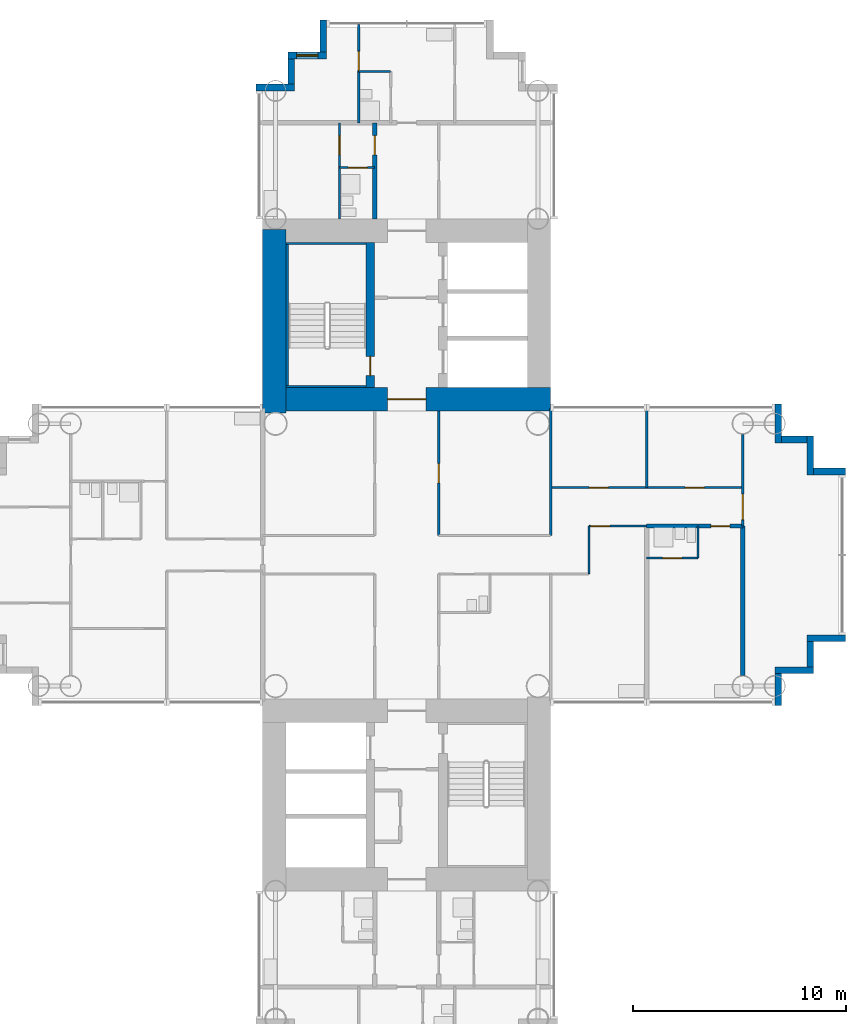
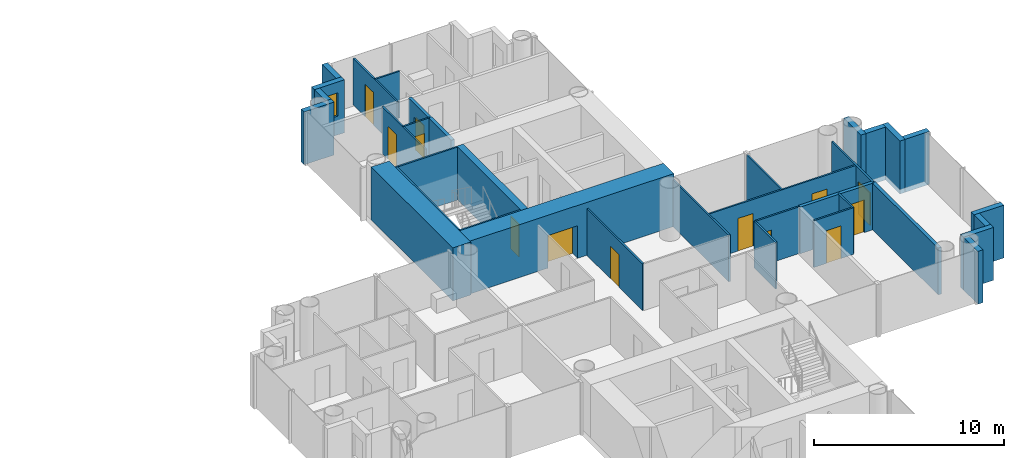
# One storey, part 15 of 22: 34 walls, 13 doors, 1 window, 14 openings.
"""IFC4 building model written with IfcOpenShell, lengths in metres."""

import ifcopenshell
import ifcopenshell.guid

model = None  # the IFC model being written
_history = None  # IfcOwnerHistory: only IFC2X3 demands one
_inside = {}  # id of a spatial element -> (the spatial element, [elements in it])
_under = {}  # id of a project, library or spatial element -> (it, [spatial elements below it])
_declared = {}  # id of a project -> (the project, [libraries it declares])
_typed = {}  # id of a type object -> (the type object, [elements of that type])
_made_of = {}  # id of a material, layer set ... -> (it, [elements and type objects made of it])


def new_model(schema):
    """Start an empty IFC model of exactly this schema.

    Asked for "IFC4X3", IfcOpenShell would pick the latest addendum, in which some entities
    have other attributes; the version numbers below select the first issue.
    IFC2X3 requires an IfcOwnerHistory on every rooted entity: one is made here for all.
    """
    global model, _history
    if schema == "IFC4X3":
        model = ifcopenshell.file(schema_version=(4, 3, 0, 0))
    else:
        model = ifcopenshell.file(schema=schema)
    _inside.clear()
    _under.clear()
    _declared.clear()
    _typed.clear()
    _made_of.clear()
    _history = None
    if model.schema == "IFC2X3":
        org = make("IfcOrganization", Name="unknown")
        user = make(
            "IfcPersonAndOrganization",
            ThePerson=make("IfcPerson", FamilyName="unknown"),
            TheOrganization=org,
        )
        app = make(
            "IfcApplication",
            ApplicationDeveloper=org,
            Version="unknown",
            ApplicationFullName="unknown",
            ApplicationIdentifier="unknown",
        )
        _history = make(
            "IfcOwnerHistory",
            OwningUser=user,
            OwningApplication=app,
            ChangeAction="ADDED",
            CreationDate=0,
        )
    return model


def make(cls, **values):
    """One entity of the class cls with the attributes given. An attribute that is None is left unset."""
    return model.create_entity(
        cls, **{name: value for name, value in values.items() if value is not None}
    )


def rooted(cls, **values):
    """An entity with a GlobalId (a new one), such as an element, a storey or a relation."""
    return make(cls, GlobalId=ifcopenshell.guid.new(), OwnerHistory=_history, **values)


def si_unit(unit_type, name, prefix=None):
    """IfcSIUnit, for example si_unit("LENGTHUNIT", "METRE", prefix="MILLI")."""
    return make("IfcSIUnit", UnitType=unit_type, Prefix=prefix, Name=name)


def assignment(units):
    """IfcUnitAssignment: the units of a project."""
    return None if units is None else make("IfcUnitAssignment", Units=units)


def point(xyz):
    """IfcCartesianPoint."""
    return None if xyz is None else make("IfcCartesianPoint", Coordinates=xyz)


def direction(xyz):
    """IfcDirection."""
    return None if xyz is None else make("IfcDirection", DirectionRatios=xyz)


def frame(location, z_axis=None, x_axis=None):
    """IfcAxis2Placement3D, a coordinate frame: its origin and axes. An axis left out is left unset."""
    return make(
        "IfcAxis2Placement3D",
        Location=point(location),
        Axis=direction(z_axis),
        RefDirection=direction(x_axis),
    )


def frame_2d(location, x_axis=None):
    """IfcAxis2Placement2D, a coordinate frame in the plane: its origin and x axis."""
    return make(
        "IfcAxis2Placement2D", Location=point(location), RefDirection=direction(x_axis)
    )


def origin():
    """The frame at (0, 0, 0) with its axes left unset."""
    return frame((0.0, 0.0, 0.0))


def place(relative_to, where):
    """IfcLocalPlacement: puts the frame where relative to a parent placement (None: the world)."""
    return make(
        "IfcLocalPlacement", PlacementRelTo=relative_to, RelativePlacement=where
    )


def context(
    kind, dimensions, precision=None, world=None, true_north=None, identifier=None
):
    """IfcGeometricRepresentationContext, for example the 3D "Model" context."""
    return make(
        "IfcGeometricRepresentationContext",
        ContextIdentifier=identifier,
        ContextType=kind,
        CoordinateSpaceDimension=dimensions,
        Precision=precision,
        WorldCoordinateSystem=world,
        TrueNorth=true_north,
    )


def subcontext(parent, identifier, kind, view, scale=None):
    """IfcGeometricRepresentationSubContext, for example "Body" below "Model"."""
    return make(
        "IfcGeometricRepresentationSubContext",
        ContextIdentifier=identifier,
        ContextType=kind,
        ParentContext=parent,
        TargetScale=scale,
        TargetView=view,
    )


def project(units=None, contexts=None):
    """IfcProject with its units and contexts."""
    return rooted(
        "IfcProject",
        Name="project",
        RepresentationContexts=contexts,
        UnitsInContext=assignment(units),
    )


def spatial(cls, under=None, at=None, **own):
    """A site, building, storey or space (cls), placed at a placement, below another one or the project."""
    s = rooted(cls, ObjectPlacement=at, **own)
    if under is not None:
        _under.setdefault(under.id(), (under, []))[1].append(s)
    return s


def profile(cls, at=None, kind="AREA", **sizes):
    """A parametric profile (cls). Its sizes go by their IFC names, for example OverallWidth=200.0."""
    return make(cls, ProfileType=kind, Position=at, **sizes)


def rectangle(**sizes):
    """IfcRectangleProfileDef."""
    return profile("IfcRectangleProfileDef", **sizes)


def extrude(swept, where, along, depth):
    """IfcExtrudedAreaSolid: the profile swept, set in the frame where, extruded along a direction by depth."""
    return make(
        "IfcExtrudedAreaSolid",
        SweptArea=swept,
        Position=where,
        ExtrudedDirection=direction(along),
        Depth=depth,
    )


def shape(context_of_items, identifier, shape_type, items):
    """IfcShapeRepresentation: the items that make up one representation, for example the "Body"."""
    return make(
        "IfcShapeRepresentation",
        ContextOfItems=context_of_items,
        RepresentationIdentifier=identifier,
        RepresentationType=shape_type,
        Items=items,
    )


def material(Name=None, Category=None):
    """IfcMaterial."""
    return make("IfcMaterial", Name=Name, Category=Category)


def layer(
    of_material, thickness, ventilated=None, Name=None, Category=None, Priority=None
):
    """IfcMaterialLayer: one layer of a wall or slab, of a material (None: an air gap)."""
    return make(
        "IfcMaterialLayer",
        Material=of_material,
        LayerThickness=thickness,
        IsVentilated=ventilated,
        Name=Name,
        Category=Category,
        Priority=Priority,
    )


def layer_set(layers, Name=None):
    """IfcMaterialLayerSet."""
    return make("IfcMaterialLayerSet", MaterialLayers=layers, LayerSetName=Name)


def made_of(thing, what):
    """Note that an element or type object is made of a material, layer set ...; save() writes the relation."""
    if what is not None:
        _made_of.setdefault(what.id(), (what, []))[1].append(thing)
    return thing


def type_object(cls, material=None, **own):
    """A type object (cls), such as IfcWallType, which elements share."""
    return made_of(rooted(cls, **own), material)


def element(
    cls,
    number,
    at=None,
    inside=None,
    cuts=None,
    type_object=None,
    material=None,
    context=None,
    identifier="Body",
    shape_type=None,
    held_by="IfcProductDefinitionShape",
    body=None,
    shapes=None,
    **own,
):
    """One element of the class cls, such as IfcWall. Its Tag is "e" and its number.

    at: its placement. inside: the storey or other place that contains it. cuts: it is an
    opening in that element (IfcRelVoidsElement). A single representation is given by context,
    identifier, shape_type and body (its items); several are given by shapes. held_by: the class
    of the entity that holds the representations. save() writes the other relations.
    """
    e = rooted(cls, Tag="e%d" % number, ObjectPlacement=at, **own)
    if body is not None:
        shapes = [shape(context, identifier, shape_type, body)]
    if shapes is not None:
        e.Representation = make(held_by, Representations=shapes)
    if inside is not None:
        _inside.setdefault(inside.id(), (inside, []))[1].append(e)
    if cuts is not None:
        rooted(
            "IfcRelVoidsElement", RelatingBuildingElement=cuts, RelatedOpeningElement=e
        )
    if type_object is not None:
        _typed.setdefault(type_object.id(), (type_object, []))[1].append(e)
    return made_of(e, material)


def fill(opening, filler):
    """IfcRelFillsElement: the door or window that sits in an opening."""
    return rooted(
        "IfcRelFillsElement",
        RelatingOpeningElement=opening,
        RelatedBuildingElement=filler,
    )


def aggregate(whole, parts):
    """IfcRelAggregates: a whole, such as a stair, and the parts it consists of."""
    return rooted("IfcRelAggregates", RelatingObject=whole, RelatedObjects=parts)


def save(model, path):
    """Write the relations noted so far, then the file.

    IfcRelAggregates (storeys below a building ...), IfcRelContainedInSpatialStructure (elements
    in a storey), IfcRelDefinesByType, IfcRelAssociatesMaterial and IfcRelDeclares: one each for
    every whole, place, type object, material and project.
    """
    for whole, parts in _under.values():
        aggregate(whole, parts)
    for where, things in _inside.values():
        rooted(
            "IfcRelContainedInSpatialStructure",
            RelatedElements=things,
            RelatingStructure=where,
        )
    for kind, things in _typed.values():
        rooted("IfcRelDefinesByType", RelatedObjects=things, RelatingType=kind)
    for what, things in _made_of.values():
        rooted("IfcRelAssociatesMaterial", RelatedObjects=things, RelatingMaterial=what)
    for by, libraries in _declared.values():
        rooted("IfcRelDeclares", RelatingContext=by, RelatedDefinitions=libraries)
    model.write(path)


model = new_model("IFC4")

# Units and contexts
model_context = context("Model", 3, precision=1e-05, world=origin(), true_north=direction((0.0, 1.0)))
body_context = subcontext(model_context, "Body", "Model", "MODEL_VIEW")
ifc_project = project(units=[si_unit("LENGTHUNIT", "METRE"), si_unit("AREAUNIT", "SQUARE_METRE"), si_unit("VOLUMEUNIT", "CUBIC_METRE"), si_unit("PLANEANGLEUNIT", "RADIAN"), si_unit("MASSUNIT", "GRAM", prefix="KILO")], contexts=[model_context])

# Site, building, storey
site_placement = place(None, origin())
site = spatial("IfcSite", under=ifc_project, at=site_placement, CompositionType="ELEMENT")
building_placement = place(site_placement, origin())
building = spatial("IfcBuilding", under=site, at=building_placement, Name="Ipe Terrace Towers", CompositionType="ELEMENT")
storey_placement = place(building_placement, frame((0.0, 0.0, 55.10009765625)))
storey = spatial("IfcBuildingStorey", under=building, at=storey_placement, Name="L14", CompositionType="ELEMENT", Elevation=55.10009765625)

# Walls
ifc_material_1 = material(Name="Concrete C40/50 with buff precast cladding", Category="concrete")
ifc_layer_1 = layer(ifc_material_1, 0.320068359375)
ifc_layer_set_1 = layer_set([ifc_layer_1], Name="BUFF CLADDING WALL 320")
wall_type_1 = type_object("IfcWallType", Name="BUFF CLADDING WALL 320", PredefinedType="STANDARD", material=ifc_layer_set_1)
wall_1_placement = place(storey_placement, frame((53.409912109375, -7.070068359375, -0.300048828125), z_axis=(0.0, 0.0, 1.0), x_axis=(0.0, 1.0, 0.0)))
element("IfcWall", 1, at=wall_1_placement, inside=storey, type_object=wall_type_1, Name="T2-W-L14-08a wall", PredefinedType="STANDARD", context=body_context, shape_type="SweptSolid", body=[
    extrude(rectangle(XDim=1.5, YDim=0.320068359375, at=frame_2d((0.75, 0.0))), origin(), (0.0, 0.0, 1.0), 3.39990234375),
])
wall_2_placement = place(storey_placement, frame((53.25, -5.409912109375, -0.300048828125), z_axis=(0.0, 0.0, 1.0), x_axis=(1.0, 0.0, 0.0)))
element("IfcWall", 2, at=wall_2_placement, inside=storey, type_object=wall_type_1, Name="T2-W-L14-09a wall", PredefinedType="STANDARD", context=body_context, shape_type="SweptSolid", body=[
    extrude(rectangle(XDim=1.820068359375, YDim=0.320068359375, at=frame_2d((0.91015625, 0.0))), origin(), (0.0, 0.0, 1.0), 3.39990234375),
])
wall_3_placement = place(storey_placement, frame((54.909912109375, -5.25, -0.300048828125), z_axis=(0.0, 0.0, 1.0), x_axis=(0.0, 1.0, 0.0)))
element("IfcWall", 3, at=wall_3_placement, inside=storey, type_object=wall_type_1, Name="T2-W-L14-10a wall", PredefinedType="STANDARD", context=body_context, shape_type="SweptSolid", body=[
    extrude(rectangle(XDim=1.179931640625, YDim=0.320068359375, at=frame_2d((0.58984375, 0.0))), origin(), (0.0, 0.0, 1.0), 3.39990234375),
])
wall_4_placement = place(storey_placement, frame((54.75, -3.909912109375, -0.300048828125), z_axis=(0.0, 0.0, 1.0), x_axis=(1.0, 0.0, 0.0)))
element("IfcWall", 4, at=wall_4_placement, inside=storey, type_object=wall_type_1, Name="T2-W-L14-11a wall", PredefinedType="STANDARD", context=body_context, shape_type="SweptSolid", body=[
    extrude(rectangle(XDim=1.820068359375, YDim=0.320068359375, at=frame_2d((0.91015625, 0.0))), origin(), (0.0, 0.0, 1.0), 3.39990234375),
])
wall_5_placement = place(storey_placement, frame((56.570068359375, 3.909912109375, -0.300048828125), z_axis=(0.0, 0.0, 1.0), x_axis=(-1.0, 0.0, 0.0)))
element("IfcWall", 5, at=wall_5_placement, inside=storey, type_object=wall_type_1, Name="T2-W-L14-13a wall", PredefinedType="STANDARD", context=body_context, shape_type="SweptSolid", body=[
    extrude(rectangle(XDim=1.5, YDim=0.320068359375, at=frame_2d((0.75, 0.0))), origin(), (0.0, 0.0, 1.0), 3.39990234375),
])
wall_6_placement = place(storey_placement, frame((54.909912109375, 3.75, -0.300048828125), z_axis=(0.0, 0.0, 1.0), x_axis=(0.0, 1.0, 0.0)))
element("IfcWall", 6, at=wall_6_placement, inside=storey, type_object=wall_type_1, Name="T2-W-L14-14a wall", PredefinedType="STANDARD", context=body_context, shape_type="SweptSolid", body=[
    extrude(rectangle(XDim=1.820068359375, YDim=0.320068359375, at=frame_2d((0.91015625, 0.0))), origin(), (0.0, 0.0, 1.0), 3.39990234375),
])
wall_7_placement = place(storey_placement, frame((54.75, 5.409912109375, -0.300048828125), z_axis=(0.0, 0.0, 1.0), x_axis=(-1.0, 0.0, 0.0)))
element("IfcWall", 7, at=wall_7_placement, inside=storey, type_object=wall_type_1, Name="T2-W-L14-15a wall", PredefinedType="STANDARD", context=body_context, shape_type="SweptSolid", body=[
    extrude(rectangle(XDim=1.179931640625, YDim=0.320068359375, at=frame_2d((0.58984375, 0.0))), origin(), (0.0, 0.0, 1.0), 3.39990234375),
])
wall_8_placement = place(storey_placement, frame((53.409912109375, 5.25, -0.300048828125), z_axis=(0.0, 0.0, 1.0), x_axis=(0.0, 1.0, 0.0)))
element("IfcWall", 8, at=wall_8_placement, inside=storey, type_object=wall_type_1, Name="T2-W-L14-16a wall", PredefinedType="STANDARD", context=body_context, shape_type="SweptSolid", body=[
    extrude(rectangle(XDim=1.820068359375, YDim=0.320068359375, at=frame_2d((0.91015625, 0.0))), origin(), (0.0, 0.0, 1.0), 3.39990234375),
])
wall_9_placement = place(storey_placement, frame((32.090087890625, 25.070068359375, -0.300048828125), z_axis=(0.0, 0.0, 1.0), x_axis=(0.0, -1.0, 0.0)))
element("IfcWall", 9, at=wall_9_placement, inside=storey, type_object=wall_type_1, Name="T2-W-L14-26a wall", PredefinedType="STANDARD", context=body_context, shape_type="SweptSolid", body=[
    extrude(rectangle(XDim=1.5, YDim=0.320068359375, at=frame_2d((0.75, 0.0))), origin(), (0.0, 0.0, 1.0), 3.39990234375),
])

# Wall, opening, window
wall_10_placement = place(storey_placement, frame((32.25, 23.409912109375, -0.300048828125), z_axis=(0.0, 0.0, 1.0), x_axis=(-1.0, 0.0, 0.0)))
wall_10 = element("IfcWall", 10, at=wall_10_placement, inside=storey, type_object=wall_type_1, Name="T2-W-L14-27a wall", PredefinedType="STANDARD", context=body_context, shape_type="SweptSolid", body=[
    extrude(rectangle(XDim=1.820068359375, YDim=0.320068359375, at=frame_2d((0.91015625, 0.0))), origin(), (0.0, 0.0, 1.0), 3.39990234375),
])
opening_1_placement = place(wall_10_placement, frame((0.409912109375, 0.0, 1.199951171875)))
opening_1 = element("IfcOpeningElement", 11, at=opening_1_placement, cuts=wall_10, Name="Opening T2-W-05-L14-03", PredefinedType="OPENING", context=body_context, shape_type="SweptSolid", body=[
    extrude(rectangle(XDim=1.0, YDim=1.5, at=frame_2d((0.5, 0.75))), frame((0.0, 0.169921875, 0.0), z_axis=(0.0, -1.0, 0.0), x_axis=(1.0, 0.0, 0.0)), (0.0, 0.0, 1.0), 0.340087890625),
])
ifc_material_2 = material(Name="Glass, clear laminated", Category="glass")
window_type = type_object("IfcWindowType", Name="DWELLING WINDOW 1000 x 1500", PartitioningType="SINGLE_PANEL", PredefinedType="WINDOW", material=ifc_material_2)
window_placement = place(opening_1_placement, origin())
window = element("IfcWindow", 12, at=window_placement, inside=storey, type_object=window_type, Name="W-05 window", OverallHeight=1.5, OverallWidth=1.0, PartitioningType="SINGLE_PANEL", PredefinedType="WINDOW", context=body_context, shape_type="SweptSolid", body=[
    extrude(rectangle(XDim=1.0, YDim=1.5, at=frame_2d((0.5, 0.75))), frame((0.0, 0.030029296875, 0.0), z_axis=(0.0, -1.0, 0.0), x_axis=(1.0, 0.0, 0.0)), (0.0, 0.0, 1.0), 0.06005859375),
])
fill(opening_1, window)

# Walls
wall_11_placement = place(storey_placement, frame((30.590087890625, 23.25, -0.300048828125), z_axis=(0.0, 0.0, 1.0), x_axis=(0.0, -1.0, 0.0)))
element("IfcWall", 13, at=wall_11_placement, inside=storey, type_object=wall_type_1, Name="T2-W-L14-28a wall", PredefinedType="STANDARD", context=body_context, shape_type="SweptSolid", body=[
    extrude(rectangle(XDim=1.179931640625, YDim=0.320068359375, at=frame_2d((0.58984375, 0.0))), origin(), (0.0, 0.0, 1.0), 3.39990234375),
])
wall_12_placement = place(storey_placement, frame((30.75, 21.909912109375, -0.300048828125), z_axis=(0.0, 0.0, 1.0), x_axis=(-1.0, 0.0, 0.0)))
element("IfcWall", 14, at=wall_12_placement, inside=storey, type_object=wall_type_1, Name="T2-W-L14-29a wall", PredefinedType="STANDARD", context=body_context, shape_type="SweptSolid", body=[
    extrude(rectangle(XDim=1.820068359375, YDim=0.320068359375, at=frame_2d((0.91015625, 0.0))), origin(), (0.0, 0.0, 1.0), 3.39990234375),
])

# Wall, opening, door
ifc_material_3 = material(Name="Gypsum board partition", Category="plasterboard")
ifc_layer_2 = layer(ifc_material_3, 0.10009765625)
ifc_layer_set_2 = layer_set([ifc_layer_2], Name="Gypsum board partition 100 mm")
wall_type_2 = type_object("IfcWallType", Name="Gypsum board partition 100 mm", PredefinedType="PARTITIONING", material=ifc_layer_set_2)
wall_13_placement = place(storey_placement, frame((49.64990234375, -0.14990234375, 0.0), z_axis=(0.0, 0.0, 1.0), x_axis=(-1.0, 0.0, 0.0)))
wall_13 = element("IfcWall", 15, at=wall_13_placement, inside=storey, type_object=wall_type_2, Name="Gypsum board partition T2 L14 W11", PredefinedType="PARTITIONING", context=body_context, shape_type="SweptSolid", body=[
    extrude(rectangle(XDim=2.39990234375, YDim=0.10009765625, at=frame_2d((1.199951171875, 0.0))), origin(), (0.0, 0.0, 1.0), 3.0),
])
opening_2_placement = place(wall_13_placement, frame((0.75, 0.0, 0.0)))
opening_2 = element("IfcOpeningElement", 16, at=opening_2_placement, cuts=wall_13, Name="Opening T2-Z1D-20", PredefinedType="OPENING", context=body_context, shape_type="SweptSolid", body=[
    extrude(rectangle(XDim=0.89990234375, YDim=2.10009765625, at=frame_2d((0.449951171875, 1.050048828125))), frame((0.0, 0.06005859375, 0.0), z_axis=(0.0, -1.0, 0.0), x_axis=(1.0, 0.0, 0.0)), (0.0, 0.0, 1.0), 0.1201171875),
])
ifc_material_4 = material(Name="Timber door leaf", Category="wood")
door_type_1 = type_object("IfcDoorType", Name="Bathroom door 900 x 2100", OperationType="NOTDEFINED", PredefinedType="DOOR", material=ifc_material_4)
door_1_placement = place(opening_2_placement, origin())
door_1 = element("IfcDoor", 17, at=door_1_placement, inside=storey, type_object=door_type_1, Name="Bathroom door T2-Z1D-20", OperationType="SINGLE_SWING_RIGHT", OverallHeight=2.10009765625, OverallWidth=0.89990234375, PredefinedType="DOOR", context=body_context, shape_type="SweptSolid", body=[
    extrude(rectangle(XDim=0.89990234375, YDim=2.10009765625, at=frame_2d((0.449951171875, 1.050048828125))), frame((0.0, 0.02490234375, 0.0), z_axis=(0.0, -1.0, 0.0), x_axis=(1.0, 0.0, 0.0)), (0.0, 0.0, 1.0), 0.050048828125),
])
fill(opening_2, door_1)

wall_14_placement = place(storey_placement, frame((47.25, 1.35009765625, 0.0), z_axis=(0.0, 0.0, 1.0), x_axis=(-1.0, 0.0, 0.0)))
wall_14 = element("IfcWall", 18, at=wall_14_placement, inside=storey, type_object=wall_type_2, Name="Gypsum board partition T2 L14 W16", PredefinedType="PARTITIONING", context=body_context, shape_type="SweptSolid", body=[
    extrude(rectangle(XDim=2.699951171875, YDim=0.10009765625, at=frame_2d((1.35009765625, 0.0))), origin(), (0.0, 0.0, 1.0), 3.0),
])
opening_3_placement = place(wall_14_placement, frame((1.72998046875, 0.0, 0.0)))
opening_3 = element("IfcOpeningElement", 19, at=opening_3_placement, cuts=wall_14, Name="Opening T2-Z1D-18", PredefinedType="OPENING", context=body_context, shape_type="SweptSolid", body=[
    extrude(rectangle(XDim=0.89990234375, YDim=2.10009765625, at=frame_2d((0.449951171875, 1.050048828125))), frame((0.0, 0.06005859375, 0.0), z_axis=(0.0, -1.0, 0.0), x_axis=(1.0, 0.0, 0.0)), (0.0, 0.0, 1.0), 0.1201171875),
])
ifc_material_5 = material(Name="Timber door leaf", Category="wood")
door_type_2 = type_object("IfcDoorType", Name="Lounge door 900 x 2100", OperationType="NOTDEFINED", PredefinedType="DOOR", material=ifc_material_5)
door_2_placement = place(opening_3_placement, origin())
door_2 = element("IfcDoor", 20, at=door_2_placement, inside=storey, type_object=door_type_2, Name="Lounge door T2-Z1D-18", OperationType="SINGLE_SWING_LEFT", OverallHeight=2.10009765625, OverallWidth=0.89990234375, PredefinedType="DOOR", context=body_context, shape_type="SweptSolid", body=[
    extrude(rectangle(XDim=0.89990234375, YDim=2.10009765625, at=frame_2d((0.449951171875, 1.050048828125))), frame((0.0, 0.02490234375, 0.0), z_axis=(0.0, -1.0, 0.0), x_axis=(1.0, 0.0, 0.0)), (0.0, 0.0, 1.0), 0.050048828125),
])
fill(opening_3, door_2)

# Wall, openings, doors
wall_15_placement = place(storey_placement, frame((51.75, 3.14990234375, 0.0), z_axis=(0.0, 0.0, 1.0), x_axis=(-1.0, 0.0, 0.0)))
wall_15 = element("IfcWall", 21, at=wall_15_placement, inside=storey, type_object=wall_type_2, Name="Gypsum board partition T2 L14 W19", PredefinedType="PARTITIONING", context=body_context, shape_type="SweptSolid", body=[
    extrude(rectangle(XDim=9.0, YDim=0.10009765625, at=frame_2d((4.5, 0.0))), origin(), (0.0, 0.0, 1.0), 3.0),
])
opening_4_placement = place(wall_15_placement, frame((6.300048828125, 0.0, 0.0)))
opening_4 = element("IfcOpeningElement", 22, at=opening_4_placement, cuts=wall_15, Name="Opening T2-Z1D-16", PredefinedType="OPENING", context=body_context, shape_type="SweptSolid", body=[
    extrude(rectangle(XDim=0.89990234375, YDim=2.10009765625, at=frame_2d((0.449951171875, 1.050048828125))), frame((0.0, 0.06005859375, 0.0), z_axis=(0.0, -1.0, 0.0), x_axis=(1.0, 0.0, 0.0)), (0.0, 0.0, 1.0), 0.1201171875),
])
opening_5_placement = place(wall_15_placement, frame((1.800048828125, 0.0, 0.0)))
opening_5 = element("IfcOpeningElement", 23, at=opening_5_placement, cuts=wall_15, Name="Opening T2-Z1D-17", PredefinedType="OPENING", context=body_context, shape_type="SweptSolid", body=[
    extrude(rectangle(XDim=0.89990234375, YDim=2.10009765625, at=frame_2d((0.449951171875, 1.050048828125))), frame((0.0, 0.06005859375, 0.0), z_axis=(0.0, -1.0, 0.0), x_axis=(1.0, 0.0, 0.0)), (0.0, 0.0, 1.0), 0.1201171875),
])
door_3_placement = place(opening_4_placement, origin())
door_3 = element("IfcDoor", 24, at=door_3_placement, inside=storey, type_object=door_type_2, Name="Lounge door T2-Z1D-16", OperationType="SINGLE_SWING_RIGHT", OverallHeight=2.10009765625, OverallWidth=0.89990234375, PredefinedType="DOOR", context=body_context, shape_type="SweptSolid", body=[
    extrude(rectangle(XDim=0.89990234375, YDim=2.10009765625, at=frame_2d((0.449951171875, 1.050048828125))), frame((0.0, 0.02490234375, 0.0), z_axis=(0.0, -1.0, 0.0), x_axis=(1.0, 0.0, 0.0)), (0.0, 0.0, 1.0), 0.050048828125),
])
fill(opening_4, door_3)
door_4_placement = place(opening_5_placement, origin())
door_4 = element("IfcDoor", 25, at=door_4_placement, inside=storey, type_object=door_type_2, Name="Lounge door T2-Z1D-17", OperationType="SINGLE_SWING_LEFT", OverallHeight=2.10009765625, OverallWidth=0.89990234375, PredefinedType="DOOR", context=body_context, shape_type="SweptSolid", body=[
    extrude(rectangle(XDim=0.89990234375, YDim=2.10009765625, at=frame_2d((0.449951171875, 1.050048828125))), frame((0.0, 0.02490234375, 0.0), z_axis=(0.0, -1.0, 0.0), x_axis=(1.0, 0.0, 0.0)), (0.0, 0.0, 1.0), 0.050048828125),
])
fill(opening_5, door_4)

# Wall, opening, door
wall_16_placement = place(storey_placement, frame((34.5, 18.14990234375, 0.0), z_axis=(0.0, 0.0, 1.0), x_axis=(-1.0, 0.0, 0.0)))
wall_16 = element("IfcWall", 26, at=wall_16_placement, inside=storey, type_object=wall_type_2, Name="Gypsum board partition T2 L14 W21", PredefinedType="PARTITIONING", context=body_context, shape_type="SweptSolid", body=[
    extrude(rectangle(XDim=1.64990234375, YDim=0.10009765625, at=frame_2d((0.824951171875, 0.0))), origin(), (0.0, 0.0, 1.0), 3.0),
])
opening_6_placement = place(wall_16_placement, frame((0.35009765625, 0.0, 0.0)))
opening_6 = element("IfcOpeningElement", 27, at=opening_6_placement, cuts=wall_16, Name="Opening T2-Z1D-24", PredefinedType="OPENING", context=body_context, shape_type="SweptSolid", body=[
    extrude(rectangle(XDim=0.89990234375, YDim=2.10009765625, at=frame_2d((0.449951171875, 1.050048828125))), frame((0.0, 0.06005859375, 0.0), z_axis=(0.0, -1.0, 0.0), x_axis=(1.0, 0.0, 0.0)), (0.0, 0.0, 1.0), 0.1201171875),
])
door_5_placement = place(opening_6_placement, origin())
door_5 = element("IfcDoor", 28, at=door_5_placement, inside=storey, type_object=door_type_1, Name="Bathroom door T2-Z1D-24", OperationType="SINGLE_SWING_RIGHT", OverallHeight=2.10009765625, OverallWidth=0.89990234375, PredefinedType="DOOR", context=body_context, shape_type="SweptSolid", body=[
    extrude(rectangle(XDim=0.89990234375, YDim=2.10009765625, at=frame_2d((0.449951171875, 1.050048828125))), frame((0.0, 0.02490234375, 0.0), z_axis=(0.0, -1.0, 0.0), x_axis=(1.0, 0.0, 0.0)), (0.0, 0.0, 1.0), 0.050048828125),
])
fill(opening_6, door_5)

# Wall
wall_17_placement = place(storey_placement, frame((35.25, 22.64990234375, 0.0), z_axis=(0.0, 0.0, 1.0), x_axis=(-1.0, 0.0, 0.0)))
element("IfcWall", 29, at=wall_17_placement, inside=storey, type_object=wall_type_2, Name="Gypsum board partition T2 L14 W23", PredefinedType="PARTITIONING", context=body_context, shape_type="SweptSolid", body=[
    extrude(rectangle(XDim=1.5, YDim=0.10009765625, at=frame_2d((0.75, 0.0))), origin(), (0.0, 0.0, 1.0), 3.0),
])

# Wall, opening, door
wall_18_placement = place(storey_placement, frame((51.75, 1.35009765625, 0.0), z_axis=(0.0, 0.0, 1.0), x_axis=(0.0, 1.0, 0.0)))
wall_18 = element("IfcWall", 30, at=wall_18_placement, inside=storey, type_object=wall_type_2, Name="Gypsum board partition T2 L14 W24", PredefinedType="PARTITIONING", context=body_context, shape_type="SweptSolid", body=[
    extrude(rectangle(XDim=4.2998046875, YDim=0.10009765625, at=frame_2d((2.14990234375, 0.0))), origin(), (0.0, 0.0, 1.0), 3.0),
])
opening_7_placement = place(wall_18_placement, frame((0.300048828125, 0.0, 0.0)))
opening_7 = element("IfcOpeningElement", 31, at=opening_7_placement, cuts=wall_18, Name="Opening T2-Z1D-21", PredefinedType="OPENING", context=body_context, shape_type="SweptSolid", body=[
    extrude(rectangle(XDim=1.199951171875, YDim=2.10009765625, at=frame_2d((0.60009765625, 1.050048828125))), frame((0.0, 0.06005859375, 0.0), z_axis=(0.0, -1.0, 0.0), x_axis=(1.0, 0.0, 0.0)), (0.0, 0.0, 1.0), 0.1201171875),
])
ifc_material_6 = material(Name="Timber door leaf", Category="wood")
door_type_3 = type_object("IfcDoorType", Name="Lounge door 1200 x 2100", OperationType="NOTDEFINED", PredefinedType="DOOR", material=ifc_material_6)
door_6_placement = place(opening_7_placement, origin())
door_6 = element("IfcDoor", 32, at=door_6_placement, inside=storey, type_object=door_type_3, Name="Lounge door T2-Z1D-21", OperationType="SINGLE_SWING_LEFT", OverallHeight=2.10009765625, OverallWidth=1.199951171875, PredefinedType="DOOR", context=body_context, shape_type="SweptSolid", body=[
    extrude(rectangle(XDim=1.199951171875, YDim=2.10009765625, at=frame_2d((0.60009765625, 1.050048828125))), frame((0.0, 0.02490234375, 0.0), z_axis=(0.0, -1.0, 0.0), x_axis=(1.0, 0.0, 0.0)), (0.0, 0.0, 1.0), 0.050048828125),
])
fill(opening_7, door_6)

# Walls
wall_19_placement = place(storey_placement, frame((49.64990234375, -0.14990234375, 0.0), z_axis=(0.0, 0.0, 1.0), x_axis=(0.0, 1.0, 0.0)))
element("IfcWall", 33, at=wall_19_placement, inside=storey, type_object=wall_type_2, Name="Gypsum board partition T2 L14 W26", PredefinedType="PARTITIONING", context=body_context, shape_type="SweptSolid", body=[
    extrude(rectangle(XDim=1.5, YDim=0.10009765625, at=frame_2d((0.75, 0.0))), origin(), (0.0, 0.0, 1.0), 3.0),
])
wall_20_placement = place(storey_placement, frame((47.25, 3.14990234375, 0.0), z_axis=(0.0, 0.0, 1.0), x_axis=(0.0, 1.0, 0.0)))
element("IfcWall", 34, at=wall_20_placement, inside=storey, type_object=wall_type_2, Name="Gypsum board partition T2 L14 W27", PredefinedType="PARTITIONING", context=body_context, shape_type="SweptSolid", body=[
    extrude(rectangle(XDim=3.7001953125, YDim=0.10009765625, at=frame_2d((1.85009765625, 0.0))), origin(), (0.0, 0.0, 1.0), 3.0),
])
wall_21_placement = place(storey_placement, frame((44.550048828125, -0.89990234375, 0.0), z_axis=(0.0, 0.0, 1.0), x_axis=(0.0, 1.0, 0.0)))
element("IfcWall", 35, at=wall_21_placement, inside=storey, type_object=wall_type_2, Name="Gypsum board partition T2 L14 W29", PredefinedType="PARTITIONING", context=body_context, shape_type="SweptSolid", body=[
    extrude(rectangle(XDim=2.25, YDim=0.10009765625, at=frame_2d((1.125, 0.0))), origin(), (0.0, 0.0, 1.0), 3.0),
])
wall_22_placement = place(storey_placement, frame((42.75, 0.89990234375, 0.0), z_axis=(0.0, 0.0, 1.0), x_axis=(0.0, 1.0, 0.0)))
element("IfcWall", 36, at=wall_22_placement, inside=storey, type_object=wall_type_2, Name="Gypsum board partition T2 L14 W31", PredefinedType="PARTITIONING", context=body_context, shape_type="SweptSolid", body=[
    extrude(rectangle(XDim=5.9501953125, YDim=0.10009765625, at=frame_2d((2.97509765625, 0.0))), origin(), (0.0, 0.0, 1.0), 3.0),
])

# Wall, opening, door
wall_23_placement = place(storey_placement, frame((37.5, 0.89990234375, 0.0), z_axis=(0.0, 0.0, 1.0), x_axis=(0.0, 1.0, 0.0)))
wall_23 = element("IfcWall", 37, at=wall_23_placement, inside=storey, type_object=wall_type_2, Name="Gypsum board partition T2 L14 W37", PredefinedType="PARTITIONING", context=body_context, shape_type="SweptSolid", body=[
    extrude(rectangle(XDim=5.85009765625, YDim=0.10009765625, at=frame_2d((2.925048828125, 0.0))), origin(), (0.0, 0.0, 1.0), 3.0),
])
opening_8_placement = place(wall_23_placement, frame((2.47509765625, 0.0, 0.0)))
opening_8 = element("IfcOpeningElement", 38, at=opening_8_placement, cuts=wall_23, Name="Opening T2-Z1D-05", PredefinedType="OPENING", context=body_context, shape_type="SweptSolid", body=[
    extrude(rectangle(XDim=0.89990234375, YDim=2.10009765625, at=frame_2d((0.449951171875, 1.050048828125))), frame((0.0, 0.06005859375, 0.0), z_axis=(0.0, -1.0, 0.0), x_axis=(1.0, 0.0, 0.0)), (0.0, 0.0, 1.0), 0.1201171875),
])
door_7_placement = place(opening_8_placement, origin())
door_7 = element("IfcDoor", 39, at=door_7_placement, inside=storey, type_object=door_type_2, Name="Lounge door T2-Z1D-05", OperationType="SINGLE_SWING_RIGHT", OverallHeight=2.10009765625, OverallWidth=0.89990234375, PredefinedType="DOOR", context=body_context, shape_type="SweptSolid", body=[
    extrude(rectangle(XDim=0.89990234375, YDim=2.10009765625, at=frame_2d((0.449951171875, 1.050048828125))), frame((0.0, 0.02490234375, 0.0), z_axis=(0.0, -1.0, 0.0), x_axis=(1.0, 0.0, 0.0)), (0.0, 0.0, 1.0), 0.050048828125),
])
fill(opening_8, door_7)

wall_24_placement = place(storey_placement, frame((33.75, 20.25, 0.0), z_axis=(0.0, 0.0, 1.0), x_axis=(0.0, 1.0, 0.0)))
wall_24 = element("IfcWall", 40, at=wall_24_placement, inside=storey, type_object=wall_type_2, Name="Gypsum board partition T2 L14 W47", PredefinedType="PARTITIONING", context=body_context, shape_type="SweptSolid", body=[
    extrude(rectangle(XDim=4.60009765625, YDim=0.10009765625, at=frame_2d((2.300048828125, 0.0))), origin(), (0.0, 0.0, 1.0), 3.0),
])
opening_9_placement = place(wall_24_placement, frame((2.449951171875, 0.0, 0.0)))
opening_9 = element("IfcOpeningElement", 41, at=opening_9_placement, cuts=wall_24, Name="Opening T2-Z1D-28", PredefinedType="OPENING", context=body_context, shape_type="SweptSolid", body=[
    extrude(rectangle(XDim=0.89990234375, YDim=2.10009765625, at=frame_2d((0.449951171875, 1.050048828125))), frame((0.0, 0.06005859375, 0.0), z_axis=(0.0, -1.0, 0.0), x_axis=(1.0, 0.0, 0.0)), (0.0, 0.0, 1.0), 0.1201171875),
])
ifc_material_7 = material(Name="Timber door leaf", Category="wood")
door_type_4 = type_object("IfcDoorType", Name="Bedroom door 900 x 2100", OperationType="NOTDEFINED", PredefinedType="DOOR", material=ifc_material_7)
door_8_placement = place(opening_9_placement, origin())
door_8 = element("IfcDoor", 42, at=door_8_placement, inside=storey, type_object=door_type_4, Name="Bedroom door T2-Z1D-28", OperationType="SINGLE_SWING_LEFT", OverallHeight=2.10009765625, OverallWidth=0.89990234375, PredefinedType="DOOR", context=body_context, shape_type="SweptSolid", body=[
    extrude(rectangle(XDim=0.89990234375, YDim=2.10009765625, at=frame_2d((0.449951171875, 1.050048828125))), frame((0.0, 0.02490234375, 0.0), z_axis=(0.0, -1.0, 0.0), x_axis=(1.0, 0.0, 0.0)), (0.0, 0.0, 1.0), 0.050048828125),
])
fill(opening_9, door_8)

wall_25_placement = place(storey_placement, frame((32.85009765625, 15.75, 0.0), z_axis=(0.0, 0.0, 1.0), x_axis=(0.0, 1.0, 0.0)))
wall_25 = element("IfcWall", 43, at=wall_25_placement, inside=storey, type_object=wall_type_2, Name="Gypsum board partition T2 L14 W49", PredefinedType="PARTITIONING", context=body_context, shape_type="SweptSolid", body=[
    extrude(rectangle(XDim=4.5, YDim=0.10009765625, at=frame_2d((2.25, 0.0))), origin(), (0.0, 0.0, 1.0), 3.0),
])
opening_10_placement = place(wall_25_placement, frame((3.0, 0.0, 0.0)))
opening_10 = element("IfcOpeningElement", 44, at=opening_10_placement, cuts=wall_25, Name="Opening T2-Z1D-23", PredefinedType="OPENING", context=body_context, shape_type="SweptSolid", body=[
    extrude(rectangle(XDim=0.89990234375, YDim=2.10009765625, at=frame_2d((0.449951171875, 1.050048828125))), frame((0.0, 0.06005859375, 0.0), z_axis=(0.0, -1.0, 0.0), x_axis=(1.0, 0.0, 0.0)), (0.0, 0.0, 1.0), 0.1201171875),
])
door_9_placement = place(opening_10_placement, origin())
door_9 = element("IfcDoor", 45, at=door_9_placement, inside=storey, type_object=door_type_4, Name="Bedroom door T2-Z1D-23", OperationType="SINGLE_SWING_LEFT", OverallHeight=2.10009765625, OverallWidth=0.89990234375, PredefinedType="DOOR", context=body_context, shape_type="SweptSolid", body=[
    extrude(rectangle(XDim=0.89990234375, YDim=2.10009765625, at=frame_2d((0.449951171875, 1.050048828125))), frame((0.0, 0.02490234375, 0.0), z_axis=(0.0, -1.0, 0.0), x_axis=(1.0, 0.0, 0.0)), (0.0, 0.0, 1.0), 0.050048828125),
])
fill(opening_10, door_9)

ifc_material_8 = material(Name="Gypsum board party wall", Category="plasterboard")
ifc_layer_3 = layer(ifc_material_8, 0.199951171875)
ifc_layer_set_3 = layer_set([ifc_layer_3], Name="Gypsum board party wall 200 mm")
wall_type_3 = type_object("IfcWallType", Name="Gypsum board party wall 200 mm", PredefinedType="SOLIDWALL", material=ifc_layer_set_3)
wall_26_placement = place(storey_placement, frame((51.75, 1.35009765625, 0.0), z_axis=(0.0, 0.0, 1.0), x_axis=(-1.0, 0.0, 0.0)))
wall_26 = element("IfcWall", 46, at=wall_26_placement, inside=storey, type_object=wall_type_3, Name="Gypsum board party wall T2 L14 W17", PredefinedType="SOLIDWALL", context=body_context, shape_type="SweptSolid", body=[
    extrude(rectangle(XDim=4.5, YDim=0.199951171875, at=frame_2d((2.25, 0.0))), origin(), (0.0, 0.0, 1.0), 3.0),
])
opening_11_placement = place(wall_26_placement, frame((0.60009765625, 0.0, 0.0)))
opening_11 = element("IfcOpeningElement", 47, at=opening_11_placement, cuts=wall_26, Name="Opening T2-Z1D-19", PredefinedType="OPENING", context=body_context, shape_type="SweptSolid", body=[
    extrude(rectangle(XDim=0.89990234375, YDim=2.10009765625, at=frame_2d((0.449951171875, 1.050048828125))), frame((0.0, 0.10986328125, 0.0), z_axis=(0.0, -1.0, 0.0), x_axis=(1.0, 0.0, 0.0)), (0.0, 0.0, 1.0), 0.219970703125),
])
ifc_material_9 = material(Name="Fire-rated timber door leaf", Category="wood")
door_type_5 = type_object("IfcDoorType", Name="Flat entrance door 900 x 2100 FD30S", OperationType="NOTDEFINED", PredefinedType="DOOR", material=ifc_material_9)
door_10_placement = place(opening_11_placement, origin())
door_10 = element("IfcDoor", 48, at=door_10_placement, inside=storey, type_object=door_type_5, Name="Flat entrance door T2-Z1D-19", OperationType="SINGLE_SWING_RIGHT", OverallHeight=2.10009765625, OverallWidth=0.89990234375, PredefinedType="DOOR", context=body_context, shape_type="SweptSolid", body=[
    extrude(rectangle(XDim=0.89990234375, YDim=2.10009765625, at=frame_2d((0.449951171875, 1.050048828125))), frame((0.0, 0.02490234375, 0.0), z_axis=(0.0, -1.0, 0.0), x_axis=(1.0, 0.0, 0.0)), (0.0, 0.0, 1.0), 0.050048828125),
])
fill(opening_11, door_10)

# Wall
wall_27_placement = place(storey_placement, frame((51.75, -5.64990234375, 0.0), z_axis=(0.0, 0.0, 1.0), x_axis=(0.0, 1.0, 0.0)))
element("IfcWall", 49, at=wall_27_placement, inside=storey, type_object=wall_type_3, Name="Gypsum board party wall T2 L14 W25", PredefinedType="SOLIDWALL", context=body_context, shape_type="SweptSolid", body=[
    extrude(rectangle(XDim=7.0, YDim=0.199951171875, at=frame_2d((3.5, 0.0))), origin(), (0.0, 0.0, 1.0), 3.0),
])

# Wall, opening, door
wall_28_placement = place(storey_placement, frame((34.5, 15.75, 0.0), z_axis=(0.0, 0.0, 1.0), x_axis=(0.0, 1.0, 0.0)))
wall_28 = element("IfcWall", 50, at=wall_28_placement, inside=storey, type_object=wall_type_3, Name="Gypsum board party wall T2 L14 W45", PredefinedType="SOLIDWALL", context=body_context, shape_type="SweptSolid", body=[
    extrude(rectangle(XDim=4.5, YDim=0.199951171875, at=frame_2d((2.25, 0.0))), origin(), (0.0, 0.0, 1.0), 3.0),
])
opening_12_placement = place(wall_28_placement, frame((3.0, 0.0, 0.0)))
opening_12 = element("IfcOpeningElement", 51, at=opening_12_placement, cuts=wall_28, Name="Opening T2-Z1D-22", PredefinedType="OPENING", context=body_context, shape_type="SweptSolid", body=[
    extrude(rectangle(XDim=0.89990234375, YDim=2.10009765625, at=frame_2d((0.449951171875, 1.050048828125))), frame((0.0, 0.10986328125, 0.0), z_axis=(0.0, -1.0, 0.0), x_axis=(1.0, 0.0, 0.0)), (0.0, 0.0, 1.0), 0.219970703125),
])
door_11_placement = place(opening_12_placement, origin())
door_11 = element("IfcDoor", 52, at=door_11_placement, inside=storey, type_object=door_type_5, Name="Flat entrance door T2-Z1D-22", OperationType="SINGLE_SWING_LEFT", OverallHeight=2.10009765625, OverallWidth=0.89990234375, PredefinedType="DOOR", context=body_context, shape_type="SweptSolid", body=[
    extrude(rectangle(XDim=0.89990234375, YDim=2.10009765625, at=frame_2d((0.449951171875, 1.050048828125))), frame((0.0, 0.02490234375, 0.0), z_axis=(0.0, -1.0, 0.0), x_axis=(1.0, 0.0, 0.0)), (0.0, 0.0, 1.0), 0.050048828125),
])
fill(opening_12, door_11)

# Walls
ifc_material_10 = material(Name="Concrete C60/75", Category="concrete")
ifc_layer_4 = layer(ifc_material_10, 0.10009765625)
ifc_layer_set_4 = layer_set([ifc_layer_4], Name="RW100 CORE INFILL WALL 100 C60-75")
wall_type_4 = type_object("IfcWallType", Name="RW100 CORE INFILL WALL 100 C60-75", PredefinedType="SHEAR", material=ifc_layer_set_4)
wall_29_placement = place(storey_placement, frame((34.10009765625, 14.60009765625, 0.0), z_axis=(0.0, 0.0, 1.0), x_axis=(-1.0, 0.0, 0.0)))
element("IfcWall", 53, at=wall_29_placement, inside=storey, type_object=wall_type_4, Name="Core infill wall T2-C1-far", PredefinedType="SHEAR", context=body_context, shape_type="SweptSolid", body=[
    extrude(rectangle(XDim=3.75, YDim=0.10009765625, at=frame_2d((1.875, 0.0))), origin(), (0.0, 0.0, 1.0), 3.39990234375),
])
wall_30_placement = place(storey_placement, frame((30.39990234375, 7.949951171875, 0.0), z_axis=(0.0, 0.0, 1.0), x_axis=(0.0, 1.0, 0.0)))
element("IfcWall", 54, at=wall_30_placement, inside=storey, type_object=wall_type_4, Name="Core infill wall T2-C1-back", PredefinedType="SHEAR", context=body_context, shape_type="SweptSolid", body=[
    extrude(rectangle(XDim=6.60009765625, YDim=0.10009765625, at=frame_2d((3.300048828125, 0.0))), origin(), (0.0, 0.0, 1.0), 3.39990234375),
])
wall_31_placement = place(storey_placement, frame((34.10009765625, 7.89990234375, 0.0), z_axis=(0.0, 0.0, 1.0), x_axis=(-1.0, 0.0, 0.0)))
element("IfcWall", 55, at=wall_31_placement, inside=storey, type_object=wall_type_4, Name="Core infill wall T2-C1-near", PredefinedType="SHEAR", context=body_context, shape_type="SweptSolid", body=[
    extrude(rectangle(XDim=3.75, YDim=0.10009765625, at=frame_2d((1.875, 0.0))), origin(), (0.0, 0.0, 1.0), 3.39990234375),
])

# Wall, opening, door
ifc_material_11 = material(Name="Concrete C60/75", Category="concrete")
ifc_layer_5 = layer(ifc_material_11, 1.10009765625)
ifc_layer_set_5 = layer_set([ifc_layer_5], Name="RW1100 CORE WALL 1100 C60-75")
wall_type_5 = type_object("IfcWallType", Name="RW1100 CORE WALL 1100 C60-75", PredefinedType="SHEAR", material=ifc_layer_set_5)
wall_32_placement = place(storey_placement, frame((30.35009765625, 7.300048828125, 0.0), z_axis=(0.0, 0.0, 1.0), x_axis=(1.0, 0.0, 0.0)))
wall_32 = element("IfcWall", 56, at=wall_32_placement, inside=storey, type_object=wall_type_5, Name="Core wall T2-C1-Z1-W01", PredefinedType="SHEAR", context=body_context, shape_type="SweptSolid", body=[
    extrude(rectangle(XDim=12.39990234375, YDim=1.10009765625, at=frame_2d((6.199951171875, 0.0))), origin(), (0.0, 0.0, 1.0), 3.39990234375),
])
opening_13_placement = place(wall_32_placement, frame((4.75, 0.0, 0.0)))
opening_13 = element("IfcOpeningElement", 57, at=opening_13_placement, cuts=wall_32, Name="Opening T2C1-ND", PredefinedType="OPENING", context=body_context, shape_type="SweptSolid", body=[
    extrude(rectangle(XDim=1.800048828125, YDim=2.10009765625, at=frame_2d((0.89990234375, 1.050048828125))), frame((0.0, 0.56005859375, 0.0), z_axis=(0.0, -1.0, 0.0), x_axis=(1.0, 0.0, 0.0)), (0.0, 0.0, 1.0), 1.1201171875),
])
ifc_material_12 = material(Name="Fire-rated timber door leaf", Category="wood")
door_type_6 = type_object("IfcDoorType", Name="Fire door 1800 x 2100 FD30S", OperationType="NOTDEFINED", PredefinedType="DOOR", material=ifc_material_12)
door_12_placement = place(opening_13_placement, origin())
door_12 = element("IfcDoor", 58, at=door_12_placement, inside=storey, type_object=door_type_6, Name="Fire door T2C1-ND", OperationType="SINGLE_SWING_LEFT", OverallHeight=2.10009765625, OverallWidth=1.800048828125, PredefinedType="DOOR", context=body_context, shape_type="SweptSolid", body=[
    extrude(rectangle(XDim=1.800048828125, YDim=2.10009765625, at=frame_2d((0.89990234375, 1.050048828125))), frame((0.0, 0.02490234375, 0.0), z_axis=(0.0, -1.0, 0.0), x_axis=(1.0, 0.0, 0.0)), (0.0, 0.0, 1.0), 0.050048828125),
])
fill(opening_13, door_12)

# Wall
wall_33_placement = place(storey_placement, frame((29.800048828125, 15.248046875, 0.0), z_axis=(0.0, 0.0, 1.0), x_axis=(0.0, -1.0, 0.0)))
element("IfcWall", 59, at=wall_33_placement, inside=storey, type_object=wall_type_5, Name="Core wall T2-C1-Z1-W04", PredefinedType="SHEAR", context=body_context, shape_type="SweptSolid", body=[
    extrude(rectangle(XDim=8.595947265625, YDim=1.10009765625, at=frame_2d((4.2978515625, 0.0))), origin(), (0.0, 0.0, 1.0), 3.39990234375),
])

# Wall, opening, door
ifc_material_13 = material(Name="Concrete C60/75", Category="concrete")
ifc_layer_6 = layer(ifc_material_13, 0.39990234375)
ifc_layer_set_6 = layer_set([ifc_layer_6], Name="RW400 CORE SPINE WALL 400 C60-75")
wall_type_6 = type_object("IfcWallType", Name="RW400 CORE SPINE WALL 400 C60-75", PredefinedType="SHEAR", material=ifc_layer_set_6)
wall_34_placement = place(storey_placement, frame((34.300048828125, 7.85009765625, 0.0), z_axis=(0.0, 0.0, 1.0), x_axis=(0.0, 1.0, 0.0)))
wall_34 = element("IfcWall", 60, at=wall_34_placement, inside=storey, type_object=wall_type_6, Name="Core spine wall T2-C1-Z1-SW1", PredefinedType="SHEAR", context=body_context, shape_type="SweptSolid", body=[
    extrude(rectangle(XDim=6.7998046875, YDim=0.39990234375, at=frame_2d((3.39990234375, 0.0))), origin(), (0.0, 0.0, 1.0), 3.39990234375),
])
opening_14_placement = place(wall_34_placement, frame((0.550048828125, 0.0, 0.0)))
opening_14 = element("IfcOpeningElement", 61, at=opening_14_placement, cuts=wall_34, Name="Opening T2C1-SD", PredefinedType="OPENING", context=body_context, shape_type="SweptSolid", body=[
    extrude(rectangle(XDim=0.89990234375, YDim=2.10009765625, at=frame_2d((0.449951171875, 1.050048828125))), frame((0.0, 0.2099609375, 0.0), z_axis=(0.0, -1.0, 0.0), x_axis=(1.0, 0.0, 0.0)), (0.0, 0.0, 1.0), 0.419921875),
])
ifc_material_14 = material(Name="Fire-rated timber door leaf", Category="wood")
door_type_7 = type_object("IfcDoorType", Name="Stair door 900 x 2100 FD60", OperationType="NOTDEFINED", PredefinedType="DOOR", material=ifc_material_14)
door_13_placement = place(opening_14_placement, origin())
door_13 = element("IfcDoor", 62, at=door_13_placement, inside=storey, type_object=door_type_7, Name="Stair door T2C1-SD", OperationType="SINGLE_SWING_LEFT", OverallHeight=2.10009765625, OverallWidth=0.89990234375, PredefinedType="DOOR", context=body_context, shape_type="SweptSolid", body=[
    extrude(rectangle(XDim=0.89990234375, YDim=2.10009765625, at=frame_2d((0.449951171875, 1.050048828125))), frame((0.0, 0.02490234375, 0.0), z_axis=(0.0, -1.0, 0.0), x_axis=(1.0, 0.0, 0.0)), (0.0, 0.0, 1.0), 0.050048828125),
])
fill(opening_14, door_13)

save(model, "model.ifc")
